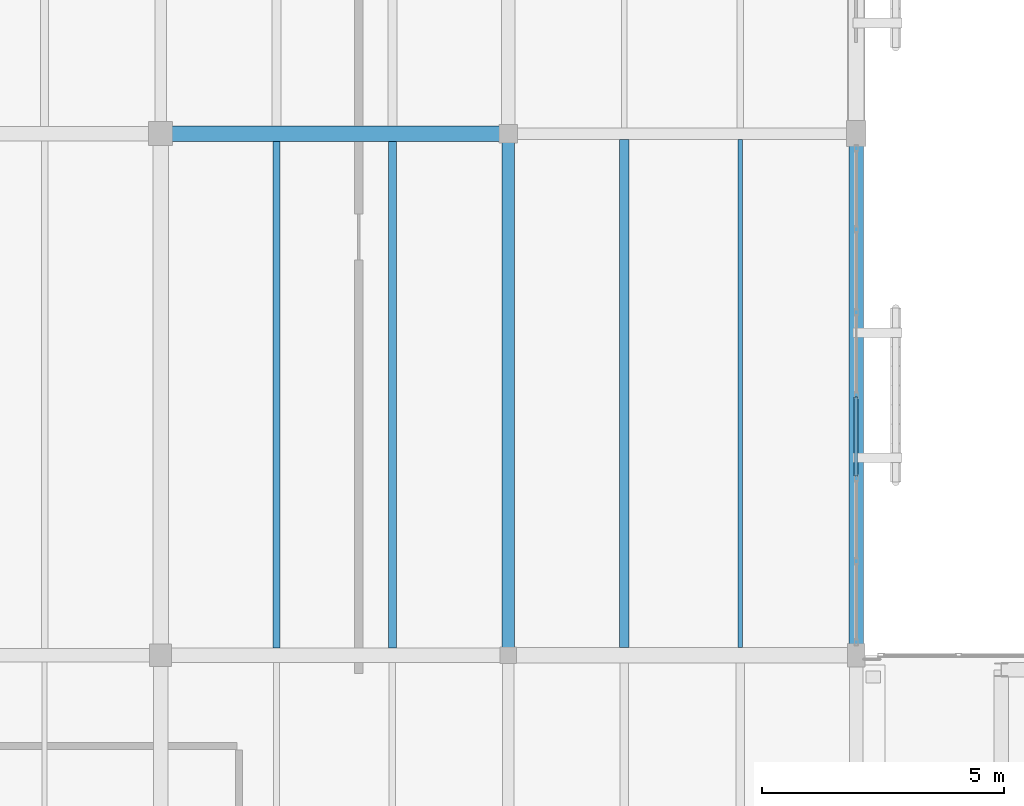
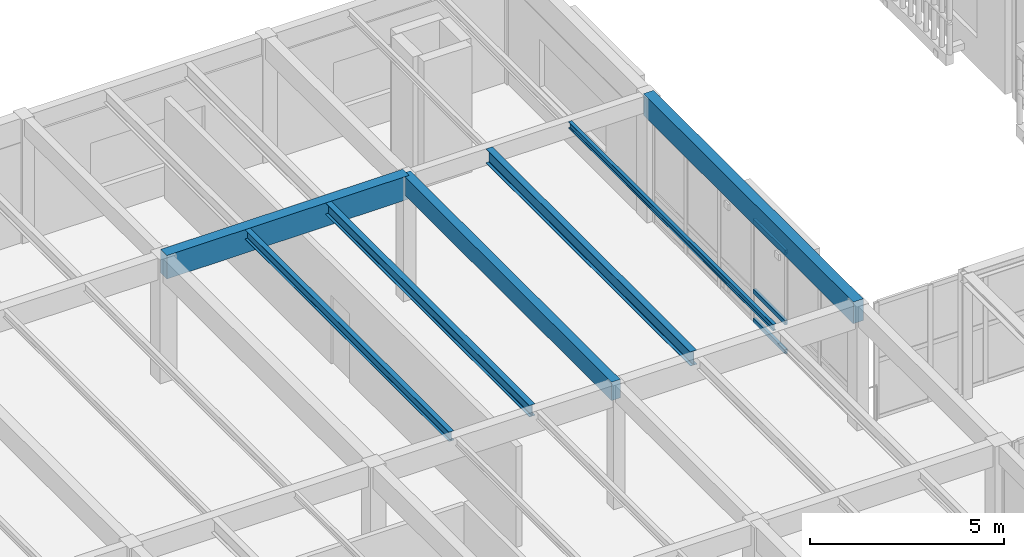
# One storey, part 65 of 217: 7 beams, 3 members, 1 element without a shape of its own.
"""IFC4 building model written with IfcOpenShell, lengths in metres."""

from ifc_helpers import new_model, si_unit, direction, frame, origin, origin_2d, place, context, subcontext, project, spatial, rectangle, hollow_rectangle, i_section, extrude, material, layer, layer_set, material_profile, profile_set, type_object, element, aggregate, save


model = new_model("IFC4")

# Units and contexts
model_context = context("Model", 3, precision=1e-05, world=origin(), true_north=direction((0.0, 1.0)))
body_context = subcontext(model_context, "Body", "Model", "MODEL_VIEW")
ifc_project = project(units=[si_unit("LENGTHUNIT", "METRE"), si_unit("AREAUNIT", "SQUARE_METRE"), si_unit("VOLUMEUNIT", "CUBIC_METRE"), si_unit("PLANEANGLEUNIT", "RADIAN"), si_unit("MASSUNIT", "GRAM", prefix="KILO")], contexts=[model_context])

# Site, building, storey
site_placement = place(None, origin())
site = spatial("IfcSite", under=ifc_project, at=site_placement, CompositionType="ELEMENT")
building_placement = place(site_placement, origin())
building = spatial("IfcBuilding", under=site, at=building_placement, Name="Mazaris Harbour Polytechnic", CompositionType="ELEMENT")
storey_placement = place(building_placement, frame((0.0, 0.0, 9.60009765625)))
storey = spatial("IfcBuildingStorey", under=building, at=storey_placement, Name="L02", CompositionType="ELEMENT", Elevation=9.60009765625)

# Curtain wall, members
ifc_material_1 = material(Name="Anodised Bronze Aluminium and Low-E Glass", Category="aluminium")
ifc_layer = layer(ifc_material_1, 0.159912109375, Name="Anodised Bronze Aluminium and Low-E Glass")
ifc_layer_set = layer_set([ifc_layer], Name="Anodised Bronze Aluminium and Low-E Glass")
curtain_wall_type = type_object("IfcCurtainWallType", Name="Cloister Court Curtain Wall", PredefinedType="NOTDEFINED", material=ifc_layer_set)
curtain_wall_placement = place(storey_placement, origin())
curtain_wall = element("IfcCurtainWall", 1, at=curtain_wall_placement, inside=storey, type_object=curtain_wall_type, Name="V4 L02 Curtain Wall 132", PredefinedType="NOTDEFINED")
ifc_material_2 = material(Name="Anodised Bronze Steel S355", Category="steel")
ifc_material_profile_1 = material_profile(ifc_material_2, hollow_rectangle(XDim=0.080078125, YDim=0.139892578125, WallThickness=0.00634765625, at=origin_2d()), Name="RHS 80x140x6.3")
ifc_profile_set_1 = profile_set([ifc_material_profile_1], Name="Anodised Bronze Steel S355")
member_type = type_object("IfcMemberType", Name="Curtain Transom RHS80x140", PredefinedType="USERDEFINED", material=ifc_profile_set_1)
member_1_placement = place(storey_placement, frame((43.199951171875, 88.14501953125, 0.039794921875), z_axis=(0.0, -1.0, 0.0), x_axis=(1.0, 0.0, 0.0)))
member_1 = element("IfcMember", 2, at=member_1_placement, type_object=member_type, Name="CW-02 transom 4.1", ObjectType="TRANSOM", PredefinedType="USERDEFINED", context=body_context, shape_type="SweptSolid", body=[
    extrude(hollow_rectangle(XDim=0.080078125, YDim=0.139892578125, WallThickness=0.00634765625, at=origin_2d()), origin(), (0.0, 0.0, 1.0), 1.6376953125),
])
member_2_placement = place(storey_placement, frame((43.199951171875, 88.14501953125, 0.949951171875), z_axis=(0.0, -1.0, 0.0), x_axis=(1.0, 0.0, 0.0)))
member_2 = element("IfcMember", 3, at=member_2_placement, type_object=member_type, Name="CW-02 transom 4.2", ObjectType="TRANSOM", PredefinedType="USERDEFINED", context=body_context, shape_type="SweptSolid", body=[
    extrude(hollow_rectangle(XDim=0.080078125, YDim=0.139892578125, WallThickness=0.00634765625, at=origin_2d()), origin(), (0.0, 0.0, 1.0), 1.6376953125),
])
member_3_placement = place(storey_placement, frame((43.199951171875, 88.14501953125, 3.159912109375), z_axis=(0.0, -1.0, 0.0), x_axis=(1.0, 0.0, 0.0)))
member_3 = element("IfcMember", 4, at=member_3_placement, type_object=member_type, Name="CW-02 transom 4.3", ObjectType="TRANSOM", PredefinedType="USERDEFINED", context=body_context, shape_type="SweptSolid", body=[
    extrude(hollow_rectangle(XDim=0.080078125, YDim=0.139892578125, WallThickness=0.00634765625, at=origin_2d()), origin(), (0.0, 0.0, 1.0), 1.6376953125),
])
aggregate(curtain_wall, [member_1, member_2, member_3])

# Beams
ifc_material_3 = material(Name="Glulam GL32h", Category="wood")
ifc_material_profile_2 = material_profile(ifc_material_3, rectangle(XDim=0.260009765625, YDim=0.580078125, at=origin_2d()), Name="RECT260x580")
ifc_profile_set_2 = profile_set([ifc_material_profile_2], Name="Glulam GL32h")
beam_type_1 = type_object("IfcBeamType", Name="Glulam Girder 260x580", PredefinedType="BEAM", material=ifc_profile_set_2)
beam_1_placement = place(storey_placement, frame((36.0, 82.800048828125, 3.599853515625), z_axis=(0.0, 1.0, 0.0), x_axis=(-1.0, 0.0, 0.0)))
element("IfcBeam", 5, at=beam_1_placement, inside=storey, type_object=beam_type_1, Name="V4 L02 Tie Girder 2031", PredefinedType="BEAM", context=body_context, shape_type="SweptSolid", body=[
    extrude(rectangle(XDim=0.260009765625, YDim=0.580078125, at=origin_2d()), origin(), (0.0, 0.0, 1.0), 10.800048828125),
])
ifc_material_4 = material(Name="Glulam GL32h", Category="wood")
ifc_material_profile_3 = material_profile(ifc_material_4, rectangle(XDim=0.300048828125, YDim=0.679931640625, at=origin_2d()), Name="RECT300x680")
ifc_profile_set_3 = profile_set([ifc_material_profile_3], Name="Glulam GL32h")
beam_type_2 = type_object("IfcBeamType", Name="Glulam Girder 300x680 Exterior", PredefinedType="BEAM", material=ifc_profile_set_3)
beam_2_placement = place(storey_placement, frame((43.199951171875, 82.800048828125, 3.5498046875), z_axis=(0.0, 1.0, 0.0), x_axis=(-1.0, 0.0, 0.0)))
element("IfcBeam", 6, at=beam_2_placement, inside=storey, type_object=beam_type_2, Name="V4 L02 Tie Girder 2043", PredefinedType="BEAM", context=body_context, shape_type="SweptSolid", body=[
    extrude(rectangle(XDim=0.300048828125, YDim=0.679931640625, at=origin_2d()), origin(), (0.0, 0.0, 1.0), 10.800048828125),
])
ifc_material_5 = material(Name="Glulam GL32h", Category="wood")
ifc_material_profile_4 = material_profile(ifc_material_5, rectangle(XDim=0.320068359375, YDim=0.739990234375, at=origin_2d()), Name="RECT320x740")
ifc_profile_set_4 = profile_set([ifc_material_profile_4], Name="Glulam GL32h")
beam_type_3 = type_object("IfcBeamType", Name="Glulam Girder 320x740", PredefinedType="BEAM", material=ifc_profile_set_4)
beam_3_placement = place(storey_placement, frame((28.800048828125, 93.60009765625, 3.52001953125), z_axis=(1.0, 0.0, 0.0), x_axis=(0.0, 1.0, 0.0)))
element("IfcBeam", 7, at=beam_3_placement, inside=storey, type_object=beam_type_3, Name="V4 L02 Girder 1959", PredefinedType="BEAM", context=body_context, shape_type="SweptSolid", body=[
    extrude(rectangle(XDim=0.320068359375, YDim=0.739990234375, at=origin_2d()), origin(), (0.0, 0.0, 1.0), 7.199951171875),
])
ifc_material_6 = material(Name="Steel S355", Category="steel")
ifc_material_profile_5 = material_profile(ifc_material_6, i_section(OverallWidth=0.10009765625, OverallDepth=0.199951171875, WebThickness=0.005615234375, FlangeThickness=0.008544921875, FilletRadius=0.011962890625, at=origin_2d()), Name="IPE 200")
ifc_profile_set_5 = profile_set([ifc_material_profile_5], Name="Steel S355")
beam_type_4 = type_object("IfcBeamType", Name="Steel Joist IPE200", PredefinedType="JOIST", material=ifc_profile_set_5)
beam_4_placement = place(storey_placement, frame((40.800048828125, 82.9599609375, 3.789794921875), z_axis=(0.0, 1.0, 0.0), x_axis=(-1.0, 0.0, 0.0)))
element("IfcBeam", 8, at=beam_4_placement, inside=storey, type_object=beam_type_4, Name="V4 L02 Floor Joist 2163", PredefinedType="JOIST", context=body_context, shape_type="SweptSolid", body=[
    extrude(i_section(OverallWidth=0.10009765625, OverallDepth=0.199951171875, WebThickness=0.005615234375, FlangeThickness=0.008544921875, FilletRadius=0.011962890625, at=origin_2d()), origin(), (0.0, 0.0, 1.0), 10.52001953125),
])
ifc_material_7 = material(Name="Steel S355", Category="steel")
ifc_material_profile_6 = material_profile(ifc_material_7, i_section(OverallWidth=0.14990234375, OverallDepth=0.300048828125, WebThickness=0.007080078125, FlangeThickness=0.0107421875, FilletRadius=0.014892578125, at=origin_2d()), Name="IPE 300")
ifc_profile_set_6 = profile_set([ifc_material_profile_6], Name="Steel S355")
beam_type_5 = type_object("IfcBeamType", Name="Steel Joist IPE300", PredefinedType="JOIST", material=ifc_profile_set_6)
beam_5_placement = place(storey_placement, frame((31.199951171875, 82.949951171875, 3.739990234375), z_axis=(0.0, 1.0, 0.0), x_axis=(-1.0, 0.0, 0.0)))
element("IfcBeam", 9, at=beam_5_placement, inside=storey, type_object=beam_type_5, Name="V4 L02 Floor Joist 2138", PredefinedType="JOIST", context=body_context, shape_type="SweptSolid", body=[
    extrude(i_section(OverallWidth=0.14990234375, OverallDepth=0.300048828125, WebThickness=0.007080078125, FlangeThickness=0.0107421875, FilletRadius=0.014892578125, at=origin_2d()), origin(), (0.0, 0.0, 1.0), 10.489990234375),
])
ifc_material_8 = material(Name="Steel S355", Category="steel")
ifc_material_profile_7 = material_profile(ifc_material_8, i_section(OverallWidth=0.169921875, OverallDepth=0.360107421875, WebThickness=0.008056640625, FlangeThickness=0.0126953125, FilletRadius=0.01806640625, at=origin_2d()), Name="IPE 360")
ifc_profile_set_7 = profile_set([ifc_material_profile_7], Name="Steel S355")
beam_type_6 = type_object("IfcBeamType", Name="Steel Joist IPE360", PredefinedType="JOIST", material=ifc_profile_set_7)
beam_6_placement = place(storey_placement, frame((33.60009765625, 82.949951171875, 3.7099609375), z_axis=(0.0, 1.0, 0.0), x_axis=(-1.0, 0.0, 0.0)))
element("IfcBeam", 10, at=beam_6_placement, inside=storey, type_object=beam_type_6, Name="V4 L02 Floor Joist 2139", PredefinedType="JOIST", context=body_context, shape_type="SweptSolid", body=[
    extrude(i_section(OverallWidth=0.169921875, OverallDepth=0.360107421875, WebThickness=0.008056640625, FlangeThickness=0.0126953125, FilletRadius=0.01806640625, at=origin_2d()), origin(), (0.0, 0.0, 1.0), 10.489990234375),
])
ifc_material_9 = material(Name="Steel S355", Category="steel")
ifc_material_profile_8 = material_profile(ifc_material_9, i_section(OverallWidth=0.18994140625, OverallDepth=0.449951171875, WebThickness=0.009521484375, FlangeThickness=0.0146484375, FilletRadius=0.02099609375, at=origin_2d()), Name="IPE 450")
ifc_profile_set_8 = profile_set([ifc_material_profile_8], Name="Steel S355")
beam_type_7 = type_object("IfcBeamType", Name="Steel Joist IPE450", PredefinedType="JOIST", material=ifc_profile_set_8)
beam_7_placement = place(storey_placement, frame((38.39990234375, 82.9599609375, 3.664794921875), z_axis=(0.0, 1.0, 0.0), x_axis=(-1.0, 0.0, 0.0)))
element("IfcBeam", 11, at=beam_7_placement, inside=storey, type_object=beam_type_7, Name="V4 L02 Floor Joist 2162", PredefinedType="JOIST", context=body_context, shape_type="SweptSolid", body=[
    extrude(i_section(OverallWidth=0.18994140625, OverallDepth=0.449951171875, WebThickness=0.009521484375, FlangeThickness=0.0146484375, FilletRadius=0.02099609375, at=origin_2d()), origin(), (0.0, 0.0, 1.0), 10.52001953125),
])

save(model, "model.ifc")
